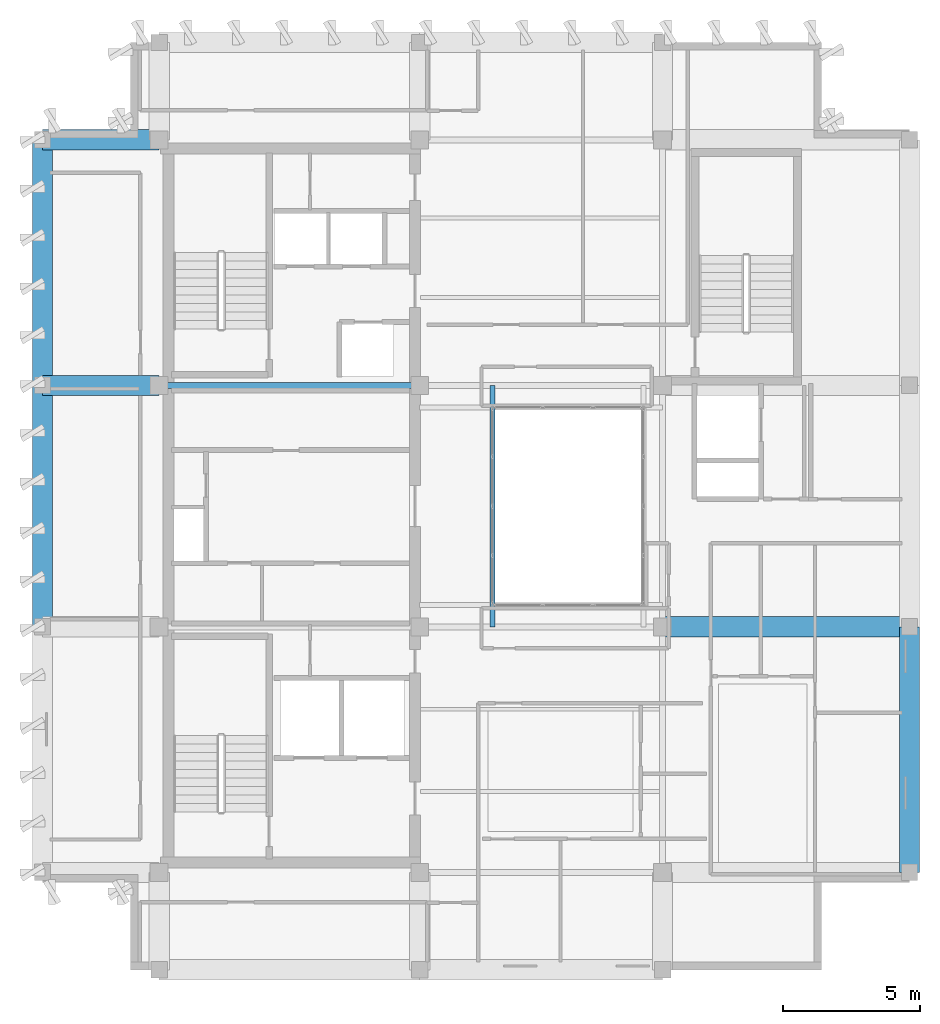
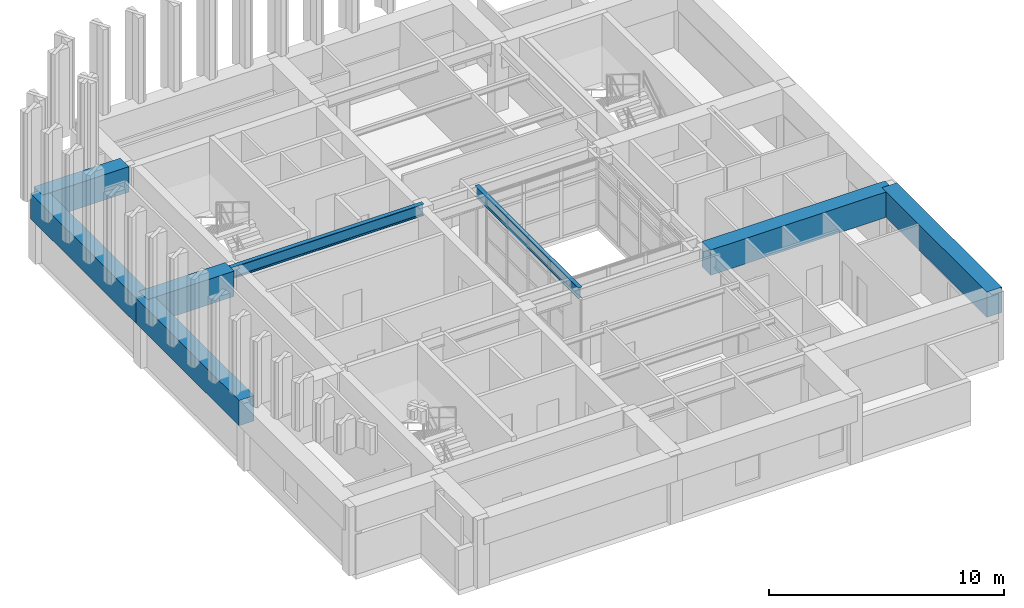
# One storey, part 3 of 11: 8 beams.
"""IFC4 building model written with IfcOpenShell, lengths in metres."""

from ifc_helpers import new_model, si_unit, direction, frame, origin, origin_2d, place, context, subcontext, project, spatial, rectangle, i_section, extrude, material, material_profile, profile_set, type_object, element, save


model = new_model("IFC4")

# Units and contexts
model_context = context("Model", 3, precision=1e-05, world=origin(), true_north=direction((0.0, 1.0)))
body_context = subcontext(model_context, "Body", "Model", "MODEL_VIEW")
ifc_project = project(units=[si_unit("LENGTHUNIT", "METRE"), si_unit("AREAUNIT", "SQUARE_METRE"), si_unit("VOLUMEUNIT", "CUBIC_METRE"), si_unit("PLANEANGLEUNIT", "RADIAN"), si_unit("MASSUNIT", "GRAM", prefix="KILO")], contexts=[model_context])

# Site, building, storey
site_placement = place(None, origin())
site = spatial("IfcSite", under=ifc_project, at=site_placement, CompositionType="ELEMENT")
building_placement = place(site_placement, origin())
building = spatial("IfcBuilding", under=site, at=building_placement, Name="Kundavana Baori Tower", CompositionType="ELEMENT")
storey_placement = place(building_placement, frame((0.0, 0.0, 346.699951171875)))
storey = spatial("IfcBuildingStorey", under=building, at=storey_placement, Name="L86", CompositionType="ELEMENT", Elevation=346.699951171875)

# Beams
ifc_material_1 = material(Name="Structural Steel S355JR", Category="steel")
ifc_material_profile_1 = material_profile(ifc_material_1, i_section(OverallWidth=0.18994140625, OverallDepth=0.550048828125, WebThickness=0.01123046875, FlangeThickness=0.019287109375, FilletRadius=0.01806640625, at=origin_2d()), Name="ISMB 550")
ifc_profile_set_1 = profile_set([ifc_material_profile_1], Name="Structural Steel S355JR")
beam_type_1 = type_object("IfcBeamType", Name="BM-ST-550", PredefinedType="BEAM", material=ifc_profile_set_1)
beam_1_placement = place(storey_placement, frame((27.60009765625, 24.199951171875, 3.275146484375), z_axis=(0.0, 1.0, 0.0), x_axis=(-1.0, 0.0, 0.0)))
element("IfcBeam", 1, at=beam_1_placement, inside=storey, type_object=beam_type_1, Name="L86 Atrium West Edge Beam", PredefinedType="BEAM", context=body_context, shape_type="SweptSolid", body=[
    extrude(i_section(OverallWidth=0.18994140625, OverallDepth=0.550048828125, WebThickness=0.01123046875, FlangeThickness=0.019287109375, FilletRadius=0.01806640625, at=origin_2d()), origin(), (0.0, 0.0, 1.0), 8.800048828125),
])
ifc_material_2 = material(Name="Structural Steel S355JR", Category="steel")
ifc_material_profile_2 = material_profile(ifc_material_2, i_section(OverallWidth=0.2099609375, OverallDepth=0.60009765625, WebThickness=0.011962890625, FlangeThickness=0.020751953125, FilletRadius=0.02001953125, at=origin_2d()), Name="ISMB 600")
ifc_profile_set_2 = profile_set([ifc_material_profile_2], Name="Structural Steel S355JR")
beam_type_2 = type_object("IfcBeamType", Name="BM-ST-600", PredefinedType="BEAM", material=ifc_profile_set_2)
beam_2_placement = place(storey_placement, frame((15.449951171875, 33.0, 3.25), z_axis=(1.0, 0.0, 0.0), x_axis=(0.0, 1.0, 0.0)))
element("IfcBeam", 2, at=beam_2_placement, inside=storey, type_object=beam_type_2, Name="L86 Primary Grid Girder GX-3-1", PredefinedType="BEAM", context=body_context, shape_type="SweptSolid", body=[
    extrude(i_section(OverallWidth=0.2099609375, OverallDepth=0.60009765625, WebThickness=0.011962890625, FlangeThickness=0.020751953125, FilletRadius=0.02001953125, at=origin_2d()), origin(), (0.0, 0.0, 1.0), 9.5),
])
ifc_material_3 = material(Name="Concrete C50/60", Category="concrete")
ifc_material_profile_3 = material_profile(ifc_material_3, rectangle(XDim=0.739990234375, YDim=1.320068359375, at=origin_2d()), Name="BM-TG-5")
ifc_profile_set_3 = profile_set([ifc_material_profile_3], Name="Concrete C50/60")
beam_type_3 = type_object("IfcBeamType", Name="BM-TG-5", PredefinedType="USERDEFINED", material=ifc_profile_set_3)
beam_3_placement = place(storey_placement, frame((11.199951171875, 24.199951171875, 2.89013671875), z_axis=(0.0, 1.0, 0.0), x_axis=(-1.0, 0.0, 0.0)))
element("IfcBeam", 3, at=beam_3_placement, inside=storey, type_object=beam_type_3, Name="L86 Perimeter Frame Ring Beam W2", ObjectType="TRANSFER GIRDER", PredefinedType="USERDEFINED", context=body_context, shape_type="SweptSolid", body=[
    extrude(rectangle(XDim=0.739990234375, YDim=1.320068359375, at=origin_2d()), origin(), (0.0, 0.0, 1.0), 8.800048828125),
])
for number, where, z_axis, x_axis, name in (
    (4, (11.199951171875, 33.0, 2.89013671875), (0.0, 1.0, 0.0), (-1.0, 0.0, 0.0), "L86 Perimeter Frame Ring Beam W3"),
    (5, (42.800048828125, 15.25, 2.89013671875), (0.0, 1.0, 0.0), (-1.0, 0.0, 0.0), "L86 Perimeter Frame Ring Beam E1"),
):
    element("IfcBeam", number, at=place(storey_placement, frame(where, z_axis=z_axis, x_axis=x_axis)), inside=storey, type_object=beam_type_3, Name=name, ObjectType="TRANSFER GIRDER", PredefinedType="USERDEFINED", context=body_context, shape_type="SweptSolid", body=[
        extrude(rectangle(XDim=0.739990234375, YDim=1.320068359375, at=origin_2d()), origin(), (0.0, 0.0, 1.0), 8.949951171875),
    ])
beam_4_placement = place(storey_placement, frame((33.800048828125, 24.199951171875, 2.89013671875), z_axis=(1.0, 0.0, 0.0), x_axis=(0.0, 1.0, 0.0)))
element("IfcBeam", 6, at=beam_4_placement, inside=storey, type_object=beam_type_3, Name="L86 East Radial Transfer Girder E2", ObjectType="TRANSFER GIRDER", PredefinedType="USERDEFINED", context=body_context, shape_type="SweptSolid", body=[
    extrude(rectangle(XDim=0.739990234375, YDim=1.320068359375, at=origin_2d()), origin(), (0.0, 0.0, 1.0), 9.0),
])
for number, where, z_axis, x_axis, name in (
    (7, (15.449951171875, 33.0, 2.89013671875), (-1.0, 0.0, 0.0), (0.0, -1.0, 0.0), "L86 West Radial Transfer Girder W3"),
    (8, (15.449951171875, 41.949951171875, 2.89013671875), (-1.0, 0.0, 0.0), (0.0, -1.0, 0.0), "L86 West Radial Transfer Girder W4"),
):
    element("IfcBeam", number, at=place(storey_placement, frame(where, z_axis=z_axis, x_axis=x_axis)), inside=storey, type_object=beam_type_3, Name=name, ObjectType="TRANSFER GIRDER", PredefinedType="USERDEFINED", context=body_context, shape_type="SweptSolid", body=[
        extrude(rectangle(XDim=0.739990234375, YDim=1.320068359375, at=origin_2d()), origin(), (0.0, 0.0, 1.0), 4.25),
    ])

save(model, "model.ifc")
